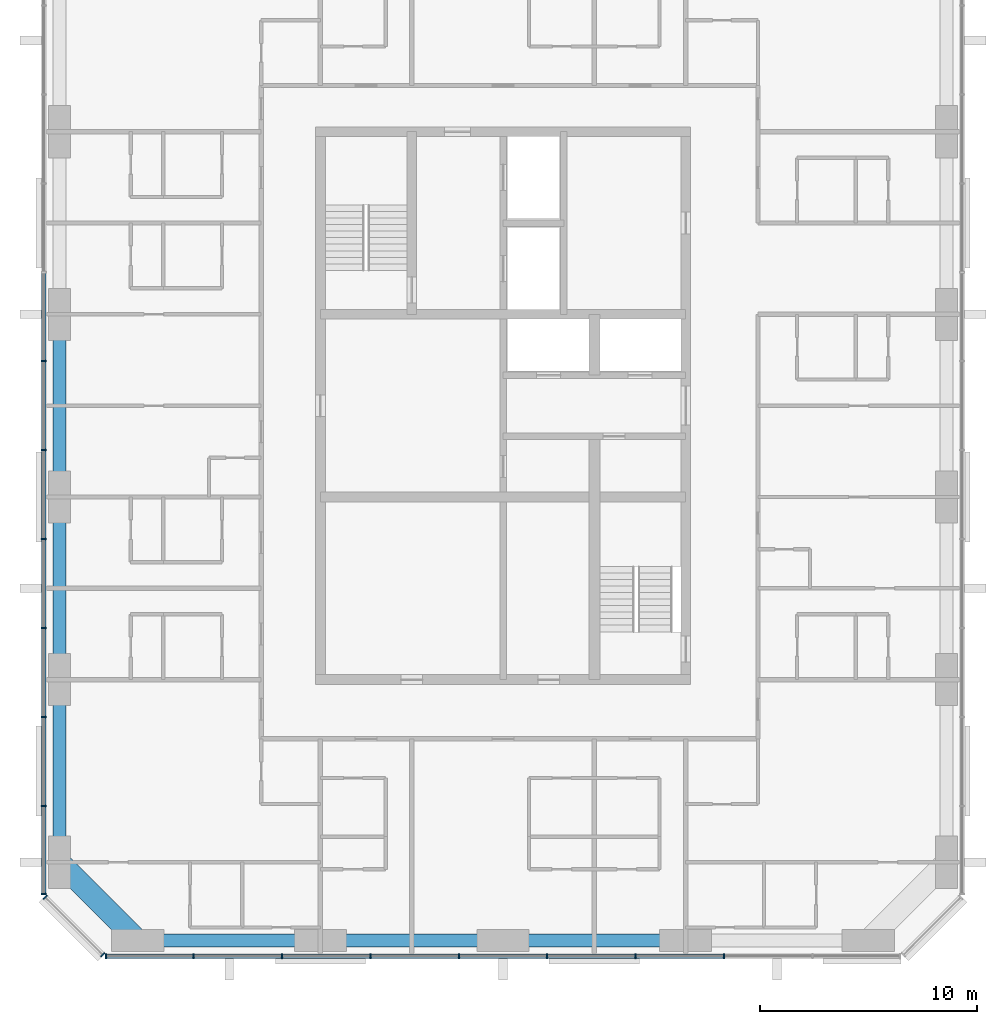
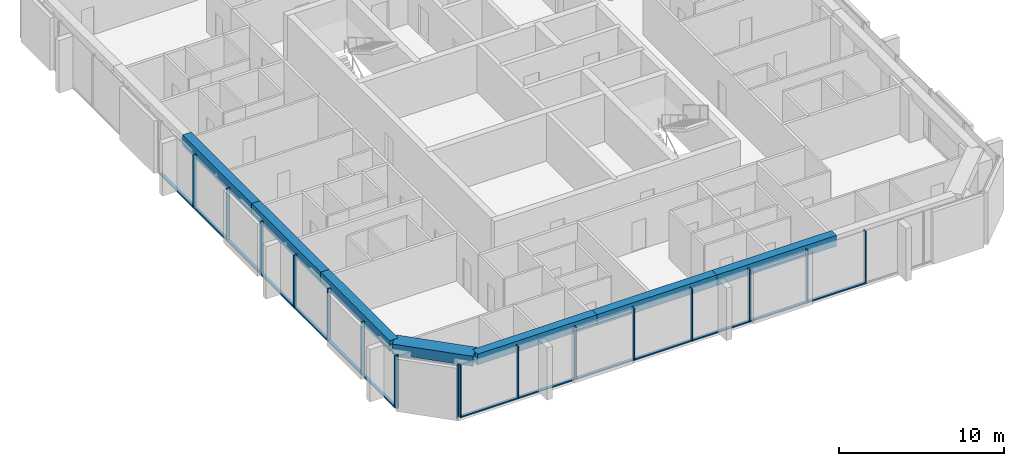
# One storey, part 2 of 12: 31 members, 7 beams, 3 elements without a shape of their own.
"""IFC4 building model written with IfcOpenShell, lengths in metres."""

from ifc_helpers import new_model, si_unit, direction, frame, origin, origin_2d, place, context, subcontext, project, spatial, rectangle, extrude, material, material_profile, profile_set, type_object, element, aggregate, save


model = new_model("IFC4")

# Units and contexts
model_context = context("Model", 3, precision=1e-05, world=origin(), true_north=direction((0.0, 1.0)))
body_context = subcontext(model_context, "Body", "Model", "MODEL_VIEW")
ifc_project = project(units=[si_unit("LENGTHUNIT", "METRE"), si_unit("AREAUNIT", "SQUARE_METRE"), si_unit("VOLUMEUNIT", "CUBIC_METRE"), si_unit("PLANEANGLEUNIT", "RADIAN"), si_unit("MASSUNIT", "GRAM", prefix="KILO")], contexts=[model_context])

# Site, building, storey
site_placement = place(None, origin())
site = spatial("IfcSite", under=ifc_project, at=site_placement, CompositionType="ELEMENT")
building_placement = place(site_placement, origin())
building = spatial("IfcBuilding", under=site, at=building_placement, Name="Dunama Terrace Hotel", CompositionType="ELEMENT")
storey_placement = place(building_placement, frame((0.0, 0.0, 264.60009765625)))
storey = spatial("IfcBuildingStorey", under=building, at=storey_placement, Name="L68", CompositionType="ELEMENT", Elevation=264.60009765625)

# Curtain wall, members
ifc_material_1 = material(Name="Aluminium curtain wall system", Category="aluminium")
curtain_wall_type = type_object("IfcCurtainWallType", Name="Unitised fritted glass wall CW-D", PredefinedType="NOTDEFINED", material=ifc_material_1)
curtain_wall_1_placement = place(storey_placement, origin())
curtain_wall_1 = element("IfcCurtainWall", 1, at=curtain_wall_1_placement, inside=storey, type_object=curtain_wall_type, Name="Unitised fritted glass wall CW-D L68", PredefinedType="NOTDEFINED")
ifc_material_2 = material(Name="Aluminium mullion", Category="aluminium")
ifc_material_profile_1 = material_profile(ifc_material_2, rectangle(XDim=0.070068359375, YDim=0.239990234375, at=origin_2d()), Name="CWD MULLION 70X240")
ifc_profile_set_1 = profile_set([ifc_material_profile_1], Name="Aluminium mullion")
member_type_1 = type_object("IfcMemberType", Name="CWD mullion 70x240", PredefinedType="MULLION", material=ifc_profile_set_1)
member_1_placement = place(storey_placement, frame((15.3349609375, 4.080078125, 0.0), z_axis=(0.0, 0.0, 1.0), x_axis=(1.0, 0.0, 0.0)))
member_1 = element("IfcMember", 2, at=member_1_placement, type_object=member_type_1, Name="CWD mullion", PredefinedType="MULLION", context=body_context, shape_type="SweptSolid", body=[
    extrude(rectangle(XDim=0.070068359375, YDim=0.239990234375, at=origin_2d()), origin(), (0.0, 0.0, 1.0), 3.89990234375),
])
member_2_placement = place(storey_placement, frame((19.366943359375, 4.080078125, 0.0), z_axis=(0.0, 0.0, 1.0), x_axis=(1.0, 0.0, 0.0)))
member_2 = element("IfcMember", 3, at=member_2_placement, type_object=member_type_1, Name="CWD mullion", PredefinedType="MULLION", context=body_context, shape_type="SweptSolid", body=[
    extrude(rectangle(XDim=0.070068359375, YDim=0.239990234375, at=origin_2d()), origin(), (0.0, 0.0, 1.0), 3.89990234375),
])
member_3_placement = place(storey_placement, frame((23.43310546875, 4.080078125, 0.0), z_axis=(0.0, 0.0, 1.0), x_axis=(1.0, 0.0, 0.0)))
member_3 = element("IfcMember", 4, at=member_3_placement, type_object=member_type_1, Name="CWD mullion", PredefinedType="MULLION", context=body_context, shape_type="SweptSolid", body=[
    extrude(rectangle(XDim=0.070068359375, YDim=0.239990234375, at=origin_2d()), origin(), (0.0, 0.0, 1.0), 3.89990234375),
])
member_4_placement = place(storey_placement, frame((27.5, 4.080078125, 0.0), z_axis=(0.0, 0.0, 1.0), x_axis=(1.0, 0.0, 0.0)))
member_4 = element("IfcMember", 5, at=member_4_placement, type_object=member_type_1, Name="CWD mullion", PredefinedType="MULLION", context=body_context, shape_type="SweptSolid", body=[
    extrude(rectangle(XDim=0.070068359375, YDim=0.239990234375, at=origin_2d()), origin(), (0.0, 0.0, 1.0), 3.89990234375),
])
member_5_placement = place(storey_placement, frame((31.56689453125, 4.080078125, 0.0), z_axis=(0.0, 0.0, 1.0), x_axis=(1.0, 0.0, 0.0)))
member_5 = element("IfcMember", 6, at=member_5_placement, type_object=member_type_1, Name="CWD mullion", PredefinedType="MULLION", context=body_context, shape_type="SweptSolid", body=[
    extrude(rectangle(XDim=0.070068359375, YDim=0.239990234375, at=origin_2d()), origin(), (0.0, 0.0, 1.0), 3.89990234375),
])
member_6_placement = place(storey_placement, frame((35.633056640625, 4.080078125, 0.0), z_axis=(0.0, 0.0, 1.0), x_axis=(1.0, 0.0, 0.0)))
member_6 = element("IfcMember", 7, at=member_6_placement, type_object=member_type_1, Name="CWD mullion", PredefinedType="MULLION", context=body_context, shape_type="SweptSolid", body=[
    extrude(rectangle(XDim=0.070068359375, YDim=0.239990234375, at=origin_2d()), origin(), (0.0, 0.0, 1.0), 3.89990234375),
])
member_7_placement = place(storey_placement, frame((39.699951171875, 4.080078125, 0.0), z_axis=(0.0, 0.0, 1.0), x_axis=(1.0, 0.0, 0.0)))
member_7 = element("IfcMember", 8, at=member_7_placement, type_object=member_type_1, Name="CWD mullion", PredefinedType="MULLION", context=body_context, shape_type="SweptSolid", body=[
    extrude(rectangle(XDim=0.070068359375, YDim=0.239990234375, at=origin_2d()), origin(), (0.0, 0.0, 1.0), 3.89990234375),
])
member_8_placement = place(storey_placement, frame((43.76708984375, 4.080078125, 0.0), z_axis=(0.0, 0.0, 1.0), x_axis=(1.0, 0.0, 0.0)))
member_8 = element("IfcMember", 9, at=member_8_placement, type_object=member_type_1, Name="CWD mullion", PredefinedType="MULLION", context=body_context, shape_type="SweptSolid", body=[
    extrude(rectangle(XDim=0.070068359375, YDim=0.239990234375, at=origin_2d()), origin(), (0.0, 0.0, 1.0), 3.89990234375),
])

curtain_wall_2_placement = place(storey_placement, origin())
curtain_wall_2 = element("IfcCurtainWall", 10, at=curtain_wall_2_placement, inside=storey, type_object=curtain_wall_type, Name="Unitised fritted glass wall CW-D L68", PredefinedType="NOTDEFINED")
member_9_placement = place(storey_placement, frame((12.47998046875, 31.445068359375, 0.0), z_axis=(0.0, 0.0, 1.0), x_axis=(0.0, -1.0, 0.0)))
member_9 = element("IfcMember", 11, at=member_9_placement, type_object=member_type_1, Name="CWD mullion", PredefinedType="MULLION", context=body_context, shape_type="SweptSolid", body=[
    extrude(rectangle(XDim=0.070068359375, YDim=0.239990234375, at=origin_2d()), origin(), (0.0, 0.0, 1.0), 3.89990234375),
])
member_10_placement = place(storey_placement, frame((12.47998046875, 27.35498046875, 0.0), z_axis=(0.0, 0.0, 1.0), x_axis=(0.0, -1.0, 0.0)))
member_10 = element("IfcMember", 12, at=member_10_placement, type_object=member_type_1, Name="CWD mullion", PredefinedType="MULLION", context=body_context, shape_type="SweptSolid", body=[
    extrude(rectangle(XDim=0.070068359375, YDim=0.239990234375, at=origin_2d()), origin(), (0.0, 0.0, 1.0), 3.89990234375),
])
member_11_placement = place(storey_placement, frame((12.47998046875, 23.263916015625, 0.0), z_axis=(0.0, 0.0, 1.0), x_axis=(0.0, -1.0, 0.0)))
member_11 = element("IfcMember", 13, at=member_11_placement, type_object=member_type_1, Name="CWD mullion", PredefinedType="MULLION", context=body_context, shape_type="SweptSolid", body=[
    extrude(rectangle(XDim=0.070068359375, YDim=0.239990234375, at=origin_2d()), origin(), (0.0, 0.0, 1.0), 3.89990234375),
])
member_12_placement = place(storey_placement, frame((12.47998046875, 19.173095703125, 0.0), z_axis=(0.0, 0.0, 1.0), x_axis=(0.0, -1.0, 0.0)))
member_12 = element("IfcMember", 14, at=member_12_placement, type_object=member_type_1, Name="CWD mullion", PredefinedType="MULLION", context=body_context, shape_type="SweptSolid", body=[
    extrude(rectangle(XDim=0.070068359375, YDim=0.239990234375, at=origin_2d()), origin(), (0.0, 0.0, 1.0), 3.89990234375),
])
member_13_placement = place(storey_placement, frame((12.47998046875, 15.08203125, 0.0), z_axis=(0.0, 0.0, 1.0), x_axis=(0.0, -1.0, 0.0)))
member_13 = element("IfcMember", 15, at=member_13_placement, type_object=member_type_1, Name="CWD mullion", PredefinedType="MULLION", context=body_context, shape_type="SweptSolid", body=[
    extrude(rectangle(XDim=0.070068359375, YDim=0.239990234375, at=origin_2d()), origin(), (0.0, 0.0, 1.0), 3.89990234375),
])
member_14_placement = place(storey_placement, frame((12.47998046875, 10.990966796875, 0.0), z_axis=(0.0, 0.0, 1.0), x_axis=(0.0, -1.0, 0.0)))
member_14 = element("IfcMember", 16, at=member_14_placement, type_object=member_type_1, Name="CWD mullion", PredefinedType="MULLION", context=body_context, shape_type="SweptSolid", body=[
    extrude(rectangle(XDim=0.070068359375, YDim=0.239990234375, at=origin_2d()), origin(), (0.0, 0.0, 1.0), 3.89990234375),
])
member_15_placement = place(storey_placement, frame((12.47998046875, 6.93505859375, 0.0), z_axis=(0.0, 0.0, 1.0), x_axis=(0.0, -1.0, 0.0)))
member_15 = element("IfcMember", 17, at=member_15_placement, type_object=member_type_1, Name="CWD mullion", PredefinedType="MULLION", context=body_context, shape_type="SweptSolid", body=[
    extrude(rectangle(XDim=0.070068359375, YDim=0.239990234375, at=origin_2d()), origin(), (0.0, 0.0, 1.0), 3.89990234375),
])

curtain_wall_3_placement = place(storey_placement, origin())
curtain_wall_3 = element("IfcCurtainWall", 18, at=curtain_wall_3_placement, inside=storey, type_object=curtain_wall_type, Name="Unitised fritted glass wall CW-D L68", PredefinedType="NOTDEFINED")
member_16_placement = place(storey_placement, frame((12.5400390625, 6.7900390625, 0.0), z_axis=(0.0, 0.0, 1.0), x_axis=(0.707106781187, -0.707106781187, 0.0)))
member_16 = element("IfcMember", 19, at=member_16_placement, type_object=member_type_1, Name="CWD mullion", PredefinedType="MULLION", context=body_context, shape_type="SweptSolid", body=[
    extrude(rectangle(XDim=0.070068359375, YDim=0.239990234375, at=origin_2d()), origin(), (0.0, 0.0, 1.0), 3.89990234375),
])
member_17_placement = place(storey_placement, frame((15.18994140625, 4.139892578125, 0.0), z_axis=(0.0, 0.0, 1.0), x_axis=(0.707106781187, -0.707106781187, 0.0)))
member_17 = element("IfcMember", 20, at=member_17_placement, type_object=member_type_1, Name="CWD mullion", PredefinedType="MULLION", context=body_context, shape_type="SweptSolid", body=[
    extrude(rectangle(XDim=0.070068359375, YDim=0.239990234375, at=origin_2d()), origin(), (0.0, 0.0, 1.0), 3.89990234375),
])
aggregate(curtain_wall_3, [member_16, member_17])

# Member
ifc_material_3 = material(Name="Aluminium transom", Category="aluminium")
ifc_material_profile_2 = material_profile(ifc_material_3, rectangle(XDim=0.199951171875, YDim=0.0849609375, at=origin_2d()), Name="CWD TRANSOM 200X85")
ifc_profile_set_2 = profile_set([ifc_material_profile_2], Name="Aluminium transom")
member_type_2 = type_object("IfcMemberType", Name="CWD transom 200x85", PredefinedType="USERDEFINED", material=ifc_profile_set_2)
member_18_placement = place(storey_placement, frame((15.3701171875, 4.080078125, 0.04248046875), z_axis=(1.0, 0.0, 0.0), x_axis=(0.0, 1.0, 0.0)))
member_18 = element("IfcMember", 21, at=member_18_placement, type_object=member_type_2, Name="CWD transom", ObjectType="TRANSOM", PredefinedType="USERDEFINED", context=body_context, shape_type="SweptSolid", body=[
    extrude(rectangle(XDim=0.199951171875, YDim=0.0849609375, at=origin_2d()), origin(), (0.0, 0.0, 1.0), 3.9619140625),
])

member_19_placement = place(storey_placement, frame((19.402099609375, 4.080078125, 0.04248046875), z_axis=(1.0, 0.0, 0.0), x_axis=(0.0, 1.0, 0.0)))
member_19 = element("IfcMember", 22, at=member_19_placement, type_object=member_type_2, Name="CWD transom", ObjectType="TRANSOM", PredefinedType="USERDEFINED", context=body_context, shape_type="SweptSolid", body=[
    extrude(rectangle(XDim=0.199951171875, YDim=0.0849609375, at=origin_2d()), origin(), (0.0, 0.0, 1.0), 3.995849609375),
])

member_20_placement = place(storey_placement, frame((23.468017578125, 4.080078125, 0.04248046875), z_axis=(1.0, 0.0, 0.0), x_axis=(0.0, 1.0, 0.0)))
member_20 = element("IfcMember", 23, at=member_20_placement, type_object=member_type_2, Name="CWD transom", ObjectType="TRANSOM", PredefinedType="USERDEFINED", context=body_context, shape_type="SweptSolid", body=[
    extrude(rectangle(XDim=0.199951171875, YDim=0.0849609375, at=origin_2d()), origin(), (0.0, 0.0, 1.0), 3.9970703125),
])

member_21_placement = place(storey_placement, frame((27.534912109375, 4.080078125, 0.04248046875), z_axis=(1.0, 0.0, 0.0), x_axis=(0.0, 1.0, 0.0)))
member_21 = element("IfcMember", 24, at=member_21_placement, type_object=member_type_2, Name="CWD transom", ObjectType="TRANSOM", PredefinedType="USERDEFINED", context=body_context, shape_type="SweptSolid", body=[
    extrude(rectangle(XDim=0.199951171875, YDim=0.0849609375, at=origin_2d()), origin(), (0.0, 0.0, 1.0), 3.9970703125),
])

member_22_placement = place(storey_placement, frame((31.60205078125, 4.080078125, 0.04248046875), z_axis=(1.0, 0.0, 0.0), x_axis=(0.0, 1.0, 0.0)))
member_22 = element("IfcMember", 25, at=member_22_placement, type_object=member_type_2, Name="CWD transom", ObjectType="TRANSOM", PredefinedType="USERDEFINED", context=body_context, shape_type="SweptSolid", body=[
    extrude(rectangle(XDim=0.199951171875, YDim=0.0849609375, at=origin_2d()), origin(), (0.0, 0.0, 1.0), 3.995849609375),
])

member_23_placement = place(storey_placement, frame((35.66796875, 4.080078125, 0.04248046875), z_axis=(1.0, 0.0, 0.0), x_axis=(0.0, 1.0, 0.0)))
member_23 = element("IfcMember", 26, at=member_23_placement, type_object=member_type_2, Name="CWD transom", ObjectType="TRANSOM", PredefinedType="USERDEFINED", context=body_context, shape_type="SweptSolid", body=[
    extrude(rectangle(XDim=0.199951171875, YDim=0.0849609375, at=origin_2d()), origin(), (0.0, 0.0, 1.0), 3.9970703125),
])

member_24_placement = place(storey_placement, frame((39.735107421875, 4.080078125, 0.04248046875), z_axis=(1.0, 0.0, 0.0), x_axis=(0.0, 1.0, 0.0)))
member_24 = element("IfcMember", 27, at=member_24_placement, type_object=member_type_2, Name="CWD transom", ObjectType="TRANSOM", PredefinedType="USERDEFINED", context=body_context, shape_type="SweptSolid", body=[
    extrude(rectangle(XDim=0.199951171875, YDim=0.0849609375, at=origin_2d()), origin(), (0.0, 0.0, 1.0), 3.996826171875),
])

aggregate(curtain_wall_1, [member_1, member_2, member_3, member_4, member_5, member_6, member_7, member_8, member_18, member_19, member_20, member_21, member_22, member_23, member_24])

member_25_placement = place(storey_placement, frame((12.47998046875, 35.5009765625, 0.04248046875), z_axis=(0.0, -1.0, 0.0), x_axis=(1.0, 0.0, 0.0)))
member_25 = element("IfcMember", 28, at=member_25_placement, type_object=member_type_2, Name="CWD transom", ObjectType="TRANSOM", PredefinedType="USERDEFINED", context=body_context, shape_type="SweptSolid", body=[
    extrude(rectangle(XDim=0.199951171875, YDim=0.0849609375, at=origin_2d()), origin(), (0.0, 0.0, 1.0), 4.02099609375),
])

member_26_placement = place(storey_placement, frame((12.47998046875, 31.409912109375, 0.04248046875), z_axis=(0.0, -1.0, 0.0), x_axis=(1.0, 0.0, 0.0)))
member_26 = element("IfcMember", 29, at=member_26_placement, type_object=member_type_2, Name="CWD transom", ObjectType="TRANSOM", PredefinedType="USERDEFINED", context=body_context, shape_type="SweptSolid", body=[
    extrude(rectangle(XDim=0.199951171875, YDim=0.0849609375, at=origin_2d()), origin(), (0.0, 0.0, 1.0), 4.02001953125),
])

member_27_placement = place(storey_placement, frame((12.47998046875, 27.320068359375, 0.04248046875), z_axis=(0.0, -1.0, 0.0), x_axis=(1.0, 0.0, 0.0)))
member_27 = element("IfcMember", 30, at=member_27_placement, type_object=member_type_2, Name="CWD transom", ObjectType="TRANSOM", PredefinedType="USERDEFINED", context=body_context, shape_type="SweptSolid", body=[
    extrude(rectangle(XDim=0.199951171875, YDim=0.0849609375, at=origin_2d()), origin(), (0.0, 0.0, 1.0), 4.02099609375),
])

member_28_placement = place(storey_placement, frame((12.47998046875, 23.22900390625, 0.04248046875), z_axis=(0.0, -1.0, 0.0), x_axis=(1.0, 0.0, 0.0)))
member_28 = element("IfcMember", 31, at=member_28_placement, type_object=member_type_2, Name="CWD transom", ObjectType="TRANSOM", PredefinedType="USERDEFINED", context=body_context, shape_type="SweptSolid", body=[
    extrude(rectangle(XDim=0.199951171875, YDim=0.0849609375, at=origin_2d()), origin(), (0.0, 0.0, 1.0), 4.02099609375),
])

member_29_placement = place(storey_placement, frame((12.47998046875, 19.137939453125, 0.04248046875), z_axis=(0.0, -1.0, 0.0), x_axis=(1.0, 0.0, 0.0)))
member_29 = element("IfcMember", 32, at=member_29_placement, type_object=member_type_2, Name="CWD transom", ObjectType="TRANSOM", PredefinedType="USERDEFINED", context=body_context, shape_type="SweptSolid", body=[
    extrude(rectangle(XDim=0.199951171875, YDim=0.0849609375, at=origin_2d()), origin(), (0.0, 0.0, 1.0), 4.02099609375),
])

member_30_placement = place(storey_placement, frame((12.47998046875, 15.047119140625, 0.04248046875), z_axis=(0.0, -1.0, 0.0), x_axis=(1.0, 0.0, 0.0)))
member_30 = element("IfcMember", 33, at=member_30_placement, type_object=member_type_2, Name="CWD transom", ObjectType="TRANSOM", PredefinedType="USERDEFINED", context=body_context, shape_type="SweptSolid", body=[
    extrude(rectangle(XDim=0.199951171875, YDim=0.0849609375, at=origin_2d()), origin(), (0.0, 0.0, 1.0), 4.021240234375),
])

member_31_placement = place(storey_placement, frame((12.47998046875, 10.9560546875, 0.04248046875), z_axis=(0.0, -1.0, 0.0), x_axis=(1.0, 0.0, 0.0)))
member_31 = element("IfcMember", 34, at=member_31_placement, type_object=member_type_2, Name="CWD transom", ObjectType="TRANSOM", PredefinedType="USERDEFINED", context=body_context, shape_type="SweptSolid", body=[
    extrude(rectangle(XDim=0.199951171875, YDim=0.0849609375, at=origin_2d()), origin(), (0.0, 0.0, 1.0), 3.986083984375),
])

aggregate(curtain_wall_2, [member_9, member_10, member_11, member_12, member_13, member_14, member_15, member_25, member_26, member_27, member_28, member_29, member_30, member_31])

# Beams
ifc_material_4 = material(Name="Concrete C50/60", Category="concrete")
ifc_material_profile_3 = material_profile(ifc_material_4, rectangle(XDim=1.0, YDim=0.75, at=origin_2d()), Name="RC 1000x750")
ifc_profile_set_3 = profile_set([ifc_material_profile_3], Name="Concrete C50/60")
beam_type_1 = type_object("IfcBeamType", Name="Edge beam RC 1000x750", PredefinedType="SPANDREL", material=ifc_profile_set_3)
beam_1_placement = place(storey_placement, frame((16.800048828125, 4.800048828125, 3.52490234375), z_axis=(-0.707130757816, 0.707082803744, 0.0), x_axis=(-0.707082803744, -0.707130757816, 0.0)))
element("IfcBeam", 35, at=beam_1_placement, inside=storey, type_object=beam_type_1, Name="Corner edge beam under L69", PredefinedType="SPANDREL", context=body_context, shape_type="SweptSolid", body=[
    extrude(rectangle(XDim=1.0, YDim=0.75, at=origin_2d()), origin(), (0.0, 0.0, 1.0), 5.091064453125),
])
ifc_material_5 = material(Name="Concrete C40/50", Category="concrete")
ifc_material_profile_4 = material_profile(ifc_material_5, rectangle(XDim=0.60009765625, YDim=0.800048828125, at=origin_2d()), Name="RC 600x800")
ifc_profile_set_4 = profile_set([ifc_material_profile_4], Name="Concrete C40/50")
beam_type_2 = type_object("IfcBeamType", Name="Edge beam RC 600x800", PredefinedType="SPANDREL", material=ifc_profile_set_4)
beam_2_placement = place(storey_placement, frame((13.199951171875, 8.39990234375, 3.5), z_axis=(0.0, 1.0, 0.0), x_axis=(-1.0, 0.0, 0.0)))
element("IfcBeam", 36, at=beam_2_placement, inside=storey, type_object=beam_type_2, Name="Edge beam under L69", PredefinedType="SPANDREL", context=body_context, shape_type="SweptSolid", body=[
    extrude(rectangle(XDim=0.60009765625, YDim=0.800048828125, at=origin_2d()), origin(), (0.0, 0.0, 1.0), 8.400146484375),
])
beam_3_placement = place(storey_placement, frame((13.199951171875, 16.800048828125, 3.5), z_axis=(0.0, 1.0, 0.0), x_axis=(-1.0, 0.0, 0.0)))
element("IfcBeam", 37, at=beam_3_placement, inside=storey, type_object=beam_type_2, Name="Edge beam under L69", PredefinedType="SPANDREL", context=body_context, shape_type="SweptSolid", body=[
    extrude(rectangle(XDim=0.60009765625, YDim=0.800048828125, at=origin_2d()), origin(), (0.0, 0.0, 1.0), 8.39990234375),
])
beam_4_placement = place(storey_placement, frame((13.199951171875, 25.199951171875, 3.5), z_axis=(0.0, 1.0, 0.0), x_axis=(-1.0, 0.0, 0.0)))
element("IfcBeam", 38, at=beam_4_placement, inside=storey, type_object=beam_type_2, Name="Edge beam under L69", PredefinedType="SPANDREL", context=body_context, shape_type="SweptSolid", body=[
    extrude(rectangle(XDim=0.60009765625, YDim=0.800048828125, at=origin_2d()), origin(), (0.0, 0.0, 1.0), 8.400146484375),
])
beam_5_placement = place(storey_placement, frame((16.800048828125, 4.800048828125, 3.5), z_axis=(1.0, 0.0, 0.0), x_axis=(0.0, 1.0, 0.0)))
element("IfcBeam", 39, at=beam_5_placement, inside=storey, type_object=beam_type_2, Name="Edge beam under L69", PredefinedType="SPANDREL", context=body_context, shape_type="SweptSolid", body=[
    extrude(rectangle(XDim=0.60009765625, YDim=0.800048828125, at=origin_2d()), origin(), (0.0, 0.0, 1.0), 8.39990234375),
])
beam_6_placement = place(storey_placement, frame((25.199951171875, 4.800048828125, 3.5), z_axis=(1.0, 0.0, 0.0), x_axis=(0.0, 1.0, 0.0)))
element("IfcBeam", 40, at=beam_6_placement, inside=storey, type_object=beam_type_2, Name="Edge beam under L69", PredefinedType="SPANDREL", context=body_context, shape_type="SweptSolid", body=[
    extrude(rectangle(XDim=0.60009765625, YDim=0.800048828125, at=origin_2d()), origin(), (0.0, 0.0, 1.0), 8.400146484375),
])
beam_7_placement = place(storey_placement, frame((33.60009765625, 4.800048828125, 3.5), z_axis=(1.0, 0.0, 0.0), x_axis=(0.0, 1.0, 0.0)))
element("IfcBeam", 41, at=beam_7_placement, inside=storey, type_object=beam_type_2, Name="Edge beam under L69", PredefinedType="SPANDREL", context=body_context, shape_type="SweptSolid", body=[
    extrude(rectangle(XDim=0.60009765625, YDim=0.800048828125, at=origin_2d()), origin(), (0.0, 0.0, 1.0), 8.39990234375),
])

save(model, "model.ifc")
